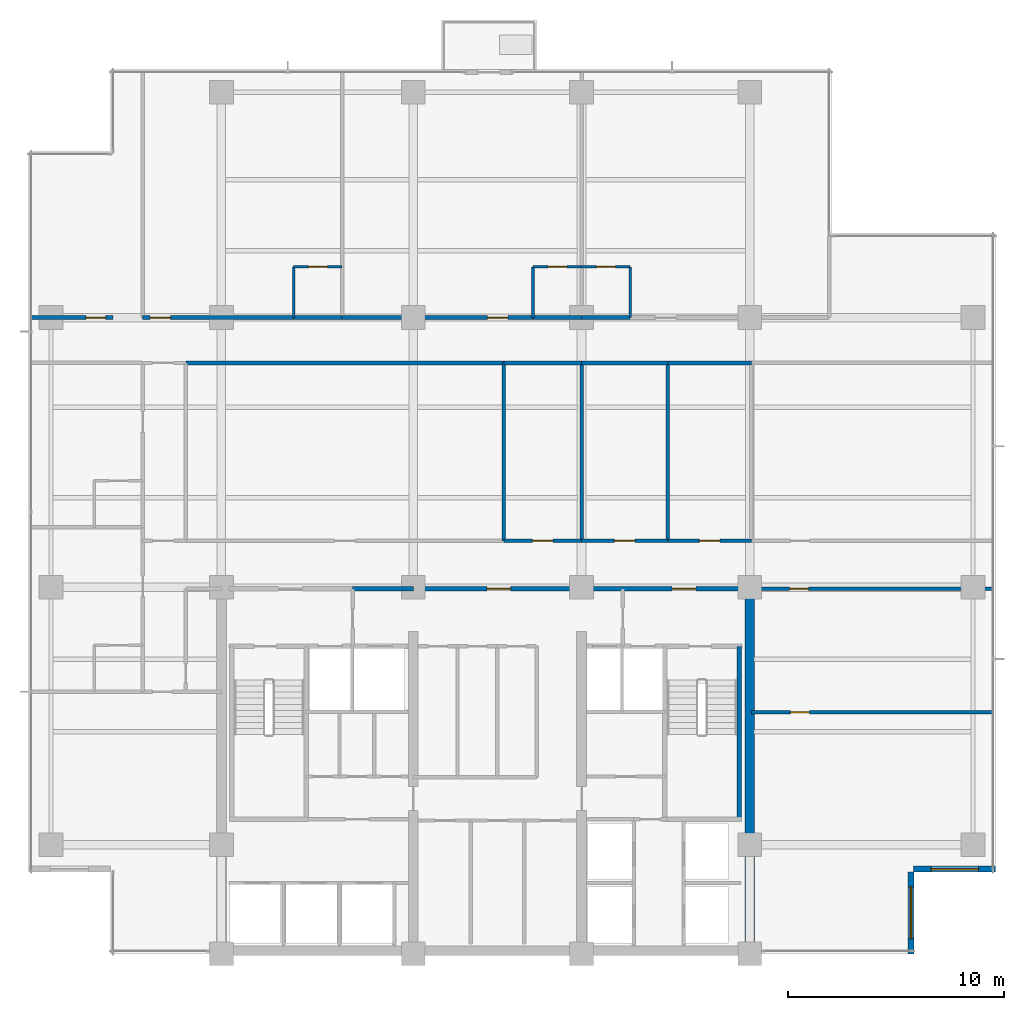
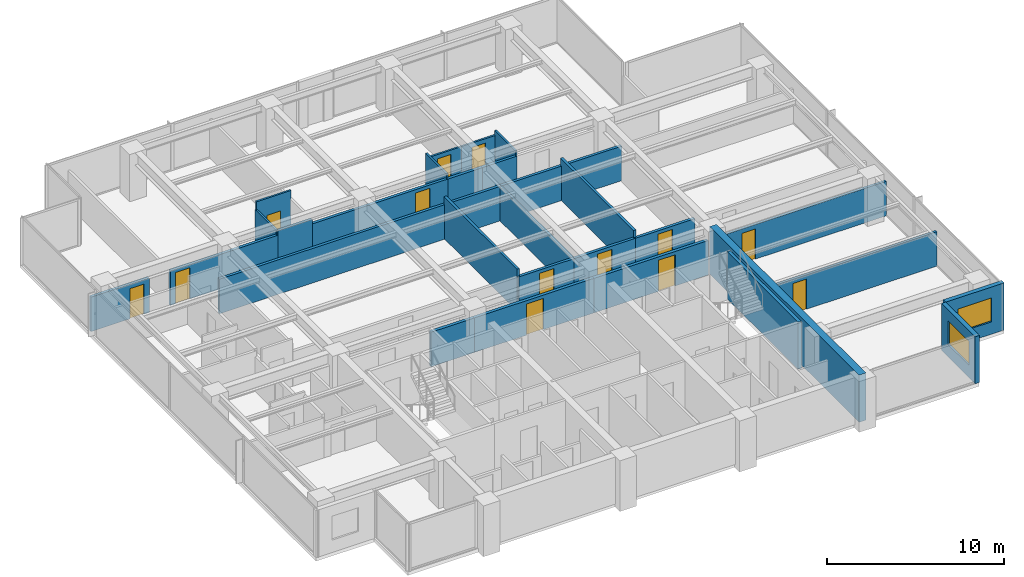
# One storey, part 9 of 15: 31 walls, 13 doors, 2 windows, 15 openings.
"""IFC4 building model written with IfcOpenShell, lengths in metres."""

from ifc_helpers import new_model, si_unit, direction, frame, frame_2d, origin, place, context, subcontext, project, spatial, rectangle, extrude, material, layer, layer_set, type_object, element, fill, save


model = new_model("IFC4")

# Units and contexts
model_context = context("Model", 3, precision=1e-05, world=origin(), true_north=direction((0.0, 1.0)))
body_context = subcontext(model_context, "Body", "Model", "MODEL_VIEW")
ifc_project = project(units=[si_unit("LENGTHUNIT", "METRE"), si_unit("AREAUNIT", "SQUARE_METRE"), si_unit("VOLUMEUNIT", "CUBIC_METRE"), si_unit("PLANEANGLEUNIT", "RADIAN"), si_unit("MASSUNIT", "GRAM", prefix="KILO")], contexts=[model_context])

# Site, building, storey
site_placement = place(None, origin())
site = spatial("IfcSite", under=ifc_project, at=site_placement, CompositionType="ELEMENT")
building_placement = place(site_placement, origin())
building = spatial("IfcBuilding", under=site, at=building_placement, Name="Qalmaran Belvedere Hotel", CompositionType="ELEMENT")
storey_placement = place(building_placement, frame((0.0, 0.0, 159.60009765625)))
storey = spatial("IfcBuildingStorey", under=building, at=storey_placement, Name="L40", CompositionType="ELEMENT", Elevation=159.60009765625)

# Wall
ifc_material_1 = material(Name="Concrete C50/60", Category="concrete")
ifc_layer_1 = layer(ifc_material_1, 0.449951171875, Name="Concrete C50/60")
ifc_layer_set_1 = layer_set([ifc_layer_1], Name="Concrete C50/60")
wall_type_1 = type_object("IfcWallType", Name="WL-CORE-450-C50", PredefinedType="SHEAR", material=ifc_layer_set_1)
wall_1_placement = place(storey_placement, frame((44.800048828125, 3.5, 0.0), z_axis=(0.0, 0.0, 1.0), x_axis=(0.0, 1.0, 0.0)))
element("IfcWall", 1, at=wall_1_placement, inside=storey, type_object=wall_type_1, Name="L40 East Core Shear Wall", PredefinedType="SHEAR", context=body_context, shape_type="SweptSolid", body=[
    extrude(rectangle(XDim=16.89990234375, YDim=0.449951171875, at=frame_2d((8.449951171875, 0.0))), origin(), (0.0, 0.0, 1.0), 3.25),
])

# Wall, opening, window
ifc_material_2 = material(Name="Anodised Bronze Cladding")
ifc_layer_2 = layer(ifc_material_2, 0.280029296875, Name="Anodised Bronze Cladding")
ifc_layer_set_2 = layer_set([ifc_layer_2], Name="Anodised Bronze Cladding")
wall_type_2 = type_object("IfcWallType", Name="WL-EXT-BRNZ-280", PredefinedType="SOLIDWALL", material=ifc_layer_set_2)
wall_2_placement = place(storey_placement, frame((52.280029296875, 3.5, 0.0), z_axis=(0.0, 0.0, 1.0), x_axis=(0.0, 1.0, 0.0)))
wall_2 = element("IfcWall", 2, at=wall_2_placement, inside=storey, type_object=wall_type_2, Name="L40 Corner Notch Wall 1", PredefinedType="SOLIDWALL", context=body_context, shape_type="SweptSolid", body=[
    extrude(rectangle(XDim=3.800048828125, YDim=0.280029296875, at=frame_2d((1.89990234375, 0.0))), origin(), (0.0, 0.0, 1.0), 3.25),
])
opening_1_placement = place(wall_2_placement, frame((0.699951171875, 0.0, 0.85009765625)))
opening_1 = element("IfcOpeningElement", 3, at=opening_1_placement, cuts=wall_2, Name="Opening W-N24", PredefinedType="OPENING", context=body_context, shape_type="SweptSolid", body=[
    extrude(rectangle(XDim=2.39990234375, YDim=1.64990234375, at=frame_2d((1.199951171875, 0.824951171875))), frame((0.0, 0.14990234375, 0.0), z_axis=(0.0, -1.0, 0.0), x_axis=(1.0, 0.0, 0.0)), (0.0, 0.0, 1.0), 0.300048828125),
])
ifc_material_3 = material(Name="Solar-Control Double Glazing", Category="glass")
window_type_1 = type_object("IfcWindowType", Name="WN-NTC-2400X1650", PartitioningType="SINGLE_PANEL", PredefinedType="WINDOW", material=ifc_material_3)
window_1_placement = place(opening_1_placement, origin())
window_1 = element("IfcWindow", 4, at=window_1_placement, inside=storey, type_object=window_type_1, Name="L40 Corner Notch Window 1", OverallHeight=1.64990234375, OverallWidth=2.39990234375, PartitioningType="SINGLE_PANEL", PredefinedType="WINDOW", context=body_context, shape_type="SweptSolid", body=[
    extrude(rectangle(XDim=2.39990234375, YDim=1.64990234375, at=frame_2d((1.199951171875, 0.824951171875))), frame((0.0, 0.030029296875, 0.0), z_axis=(0.0, -1.0, 0.0), x_axis=(1.0, 0.0, 0.0)), (0.0, 0.0, 1.0), 0.06005859375),
])
fill(opening_1, window_1)

wall_3_placement = place(storey_placement, frame((52.39990234375, 7.419921875, 0.0), z_axis=(0.0, 0.0, 1.0), x_axis=(1.0, 0.0, 0.0)))
wall_3 = element("IfcWall", 5, at=wall_3_placement, inside=storey, type_object=wall_type_2, Name="L40 Corner Notch Wall 2", PredefinedType="SOLIDWALL", context=body_context, shape_type="SweptSolid", body=[
    extrude(rectangle(XDim=3.800048828125, YDim=0.280029296875, at=frame_2d((1.89990234375, 0.0))), origin(), (0.0, 0.0, 1.0), 3.25),
])
opening_2_placement = place(wall_3_placement, frame((0.800048828125, 0.0, 0.85009765625)))
opening_2 = element("IfcOpeningElement", 6, at=opening_2_placement, cuts=wall_3, Name="Opening W-N22", PredefinedType="OPENING", context=body_context, shape_type="SweptSolid", body=[
    extrude(rectangle(XDim=2.199951171875, YDim=1.64990234375, at=frame_2d((1.10009765625, 0.824951171875))), frame((0.0, 0.14990234375, 0.0), z_axis=(0.0, -1.0, 0.0), x_axis=(1.0, 0.0, 0.0)), (0.0, 0.0, 1.0), 0.300048828125),
])
window_type_2 = type_object("IfcWindowType", Name="WN-NTC-2200X1650", PartitioningType="SINGLE_PANEL", PredefinedType="WINDOW", material=ifc_material_3)
window_2_placement = place(opening_2_placement, origin())
window_2 = element("IfcWindow", 7, at=window_2_placement, inside=storey, type_object=window_type_2, Name="L40 Corner Notch Window 2", OverallHeight=1.64990234375, OverallWidth=2.199951171875, PartitioningType="SINGLE_PANEL", PredefinedType="WINDOW", context=body_context, shape_type="SweptSolid", body=[
    extrude(rectangle(XDim=2.199951171875, YDim=1.64990234375, at=frame_2d((1.10009765625, 0.824951171875))), frame((0.0, 0.030029296875, 0.0), z_axis=(0.0, -1.0, 0.0), x_axis=(1.0, 0.0, 0.0)), (0.0, 0.0, 1.0), 0.06005859375),
])
fill(opening_2, window_2)

# Wall, opening, door
ifc_material_4 = material(Name="Moisture-Resistant Gypsum")
ifc_layer_3 = layer(ifc_material_4, 0.1201171875, Name="Moisture-Resistant Gypsum")
ifc_layer_set_3 = layer_set([ifc_layer_3], Name="Moisture-Resistant Gypsum")
wall_type_3 = type_object("IfcWallType", Name="WL-INT-120-BATH", PredefinedType="PARTITIONING", material=ifc_layer_set_3)
wall_4_placement = place(storey_placement, frame((23.647216796875, 35.35009765625, 0.0), z_axis=(0.0, 0.0, 1.0), x_axis=(1.0, 0.0, 0.0)))
wall_4 = element("IfcWall", 8, at=wall_4_placement, inside=storey, type_object=wall_type_3, Name="L40 Partition WL-L40-NBN00", PredefinedType="PARTITIONING", context=body_context, shape_type="SweptSolid", body=[
    extrude(rectangle(XDim=2.25, YDim=0.1201171875, at=frame_2d((1.125, 0.0))), origin(), (0.0, 0.0, 1.0), 3.25),
])
opening_3_placement = place(wall_4_placement, frame((1.56494140625, 0.0, 0.0), z_axis=(0.0, 0.0, 1.0), x_axis=(-1.0, 0.0, 0.0)))
opening_3 = element("IfcOpeningElement", 9, at=opening_3_placement, cuts=wall_4, Name="Opening D-BATH", PredefinedType="OPENING", context=body_context, shape_type="SweptSolid", body=[
    extrude(rectangle(XDim=0.8798828125, YDim=2.080078125, at=frame_2d((0.43994140625, 1.0400390625))), frame((0.0, 0.070068359375, 0.0), z_axis=(0.0, -1.0, 0.0), x_axis=(1.0, 0.0, 0.0)), (0.0, 0.0, 1.0), 0.14013671875),
])
ifc_material_5 = material(Name="Engineered Oak Veneer")
door_type_1 = type_object("IfcDoorType", Name="DR-INT-BATH-880X2080", OperationType="NOTDEFINED", PredefinedType="DOOR", material=ifc_material_5)
door_1_placement = place(opening_3_placement, origin())
door_1 = element("IfcDoor", 10, at=door_1_placement, inside=storey, type_object=door_type_1, Name="L40 Ensuite Bathroom Door N01", OperationType="SINGLE_SWING_RIGHT", OverallHeight=2.080078125, OverallWidth=0.8798828125, PredefinedType="DOOR", context=body_context, shape_type="SweptSolid", body=[
    extrude(rectangle(XDim=0.8798828125, YDim=2.080078125, at=frame_2d((0.43994140625, 1.0400390625))), frame((0.0, 0.02490234375, 0.0), z_axis=(0.0, -1.0, 0.0), x_axis=(1.0, 0.0, 0.0)), (0.0, 0.0, 1.0), 0.050048828125),
])
fill(opening_3, door_1)

# Wall
wall_5_placement = place(storey_placement, frame((23.647216796875, 33.0, 0.0), z_axis=(0.0, 0.0, 1.0), x_axis=(0.0, 1.0, 0.0)))
element("IfcWall", 11, at=wall_5_placement, inside=storey, type_object=wall_type_3, Name="L40 Partition WL-L40-NBS00", PredefinedType="PARTITIONING", context=body_context, shape_type="SweptSolid", body=[
    extrude(rectangle(XDim=2.35009765625, YDim=0.1201171875, at=frame_2d((1.175048828125, 0.0))), origin(), (0.0, 0.0, 1.0), 2.69189453125),
])

# Wall, opening, door
wall_6_placement = place(storey_placement, frame((34.75, 35.35009765625, 0.0), z_axis=(0.0, 0.0, 1.0), x_axis=(1.0, 0.0, 0.0)))
wall_6 = element("IfcWall", 12, at=wall_6_placement, inside=storey, type_object=wall_type_3, Name="L40 Partition WL-L40-NBN01", PredefinedType="PARTITIONING", context=body_context, shape_type="SweptSolid", body=[
    extrude(rectangle(XDim=2.25, YDim=0.1201171875, at=frame_2d((1.125, 0.0))), origin(), (0.0, 0.0, 1.0), 2.3798828125),
])
opening_4_placement = place(wall_6_placement, frame((1.56494140625, 0.0, 0.0), z_axis=(0.0, 0.0, 1.0), x_axis=(-1.0, 0.0, 0.0)))
opening_4 = element("IfcOpeningElement", 13, at=opening_4_placement, cuts=wall_6, Name="Opening D-BATH", PredefinedType="OPENING", context=body_context, shape_type="SweptSolid", body=[
    extrude(rectangle(XDim=0.8798828125, YDim=2.080078125, at=frame_2d((0.43994140625, 1.0400390625))), frame((0.0, 0.070068359375, 0.0), z_axis=(0.0, -1.0, 0.0), x_axis=(1.0, 0.0, 0.0)), (0.0, 0.0, 1.0), 0.14013671875),
])
door_2_placement = place(opening_4_placement, origin())
door_2 = element("IfcDoor", 14, at=door_2_placement, inside=storey, type_object=door_type_1, Name="L40 Ensuite Bathroom Door N02", OperationType="SINGLE_SWING_RIGHT", OverallHeight=2.080078125, OverallWidth=0.8798828125, PredefinedType="DOOR", context=body_context, shape_type="SweptSolid", body=[
    extrude(rectangle(XDim=0.8798828125, YDim=2.080078125, at=frame_2d((0.43994140625, 1.0400390625))), frame((0.0, 0.02490234375, 0.0), z_axis=(0.0, -1.0, 0.0), x_axis=(1.0, 0.0, 0.0)), (0.0, 0.0, 1.0), 0.050048828125),
])
fill(opening_4, door_2)

# Wall
wall_7_placement = place(storey_placement, frame((34.75, 33.0, 0.0), z_axis=(0.0, 0.0, 1.0), x_axis=(0.0, 1.0, 0.0)))
element("IfcWall", 15, at=wall_7_placement, inside=storey, type_object=wall_type_3, Name="L40 Partition WL-L40-NBS01", PredefinedType="PARTITIONING", context=body_context, shape_type="SweptSolid", body=[
    extrude(rectangle(XDim=2.35009765625, YDim=0.1201171875, at=frame_2d((1.175048828125, 0.0))), origin(), (0.0, 0.0, 1.0), 2.69189453125),
])

# Wall, opening, door
wall_8_placement = place(storey_placement, frame((37.0, 35.35009765625, 0.0), z_axis=(0.0, 0.0, 1.0), x_axis=(1.0, 0.0, 0.0)))
wall_8 = element("IfcWall", 16, at=wall_8_placement, inside=storey, type_object=wall_type_3, Name="L40 Partition WL-L40-NBN02", PredefinedType="PARTITIONING", context=body_context, shape_type="SweptSolid", body=[
    extrude(rectangle(XDim=2.25, YDim=0.1201171875, at=frame_2d((1.125, 0.0))), origin(), (0.0, 0.0, 1.0), 2.3798828125),
])
opening_5_placement = place(wall_8_placement, frame((1.56494140625, 0.0, 0.0), z_axis=(0.0, 0.0, 1.0), x_axis=(-1.0, 0.0, 0.0)))
opening_5 = element("IfcOpeningElement", 17, at=opening_5_placement, cuts=wall_8, Name="Opening D-BATH", PredefinedType="OPENING", context=body_context, shape_type="SweptSolid", body=[
    extrude(rectangle(XDim=0.8798828125, YDim=2.080078125, at=frame_2d((0.43994140625, 1.0400390625))), frame((0.0, 0.070068359375, 0.0), z_axis=(0.0, -1.0, 0.0), x_axis=(1.0, 0.0, 0.0)), (0.0, 0.0, 1.0), 0.14013671875),
])
door_3_placement = place(opening_5_placement, origin())
door_3 = element("IfcDoor", 18, at=door_3_placement, inside=storey, type_object=door_type_1, Name="L40 Ensuite Bathroom Door N03", OperationType="SINGLE_SWING_RIGHT", OverallHeight=2.080078125, OverallWidth=0.8798828125, PredefinedType="DOOR", context=body_context, shape_type="SweptSolid", body=[
    extrude(rectangle(XDim=0.8798828125, YDim=2.080078125, at=frame_2d((0.43994140625, 1.0400390625))), frame((0.0, 0.02490234375, 0.0), z_axis=(0.0, -1.0, 0.0), x_axis=(1.0, 0.0, 0.0)), (0.0, 0.0, 1.0), 0.050048828125),
])
fill(opening_5, door_3)

# Wall
wall_9_placement = place(storey_placement, frame((39.25, 33.0, 0.0), z_axis=(0.0, 0.0, 1.0), x_axis=(0.0, 1.0, 0.0)))
element("IfcWall", 19, at=wall_9_placement, inside=storey, type_object=wall_type_3, Name="L40 Partition WL-L40-NBS02", PredefinedType="PARTITIONING", context=body_context, shape_type="SweptSolid", body=[
    extrude(rectangle(XDim=2.35009765625, YDim=0.1201171875, at=frame_2d((1.175048828125, 0.0))), origin(), (0.0, 0.0, 1.0), 2.69189453125),
])

# Wall, opening, door
ifc_material_6 = material(Name="Gypsum Stud Partition")
ifc_layer_4 = layer(ifc_material_6, 0.14990234375, Name="Gypsum Stud Partition")
ifc_layer_set_4 = layer_set([ifc_layer_4], Name="Gypsum Stud Partition")
wall_type_4 = type_object("IfcWallType", Name="WL-INT-150-EI60", PredefinedType="PARTITIONING", material=ifc_layer_set_4)
wall_10_placement = place(storey_placement, frame((44.8798828125, 14.699951171875, 0.0), z_axis=(0.0, 0.0, 1.0), x_axis=(1.0, 0.0, 0.0)))
wall_10 = element("IfcWall", 20, at=wall_10_placement, inside=storey, type_object=wall_type_4, Name="L40 Partition WL-L40-ECEH0", PredefinedType="PARTITIONING", context=body_context, shape_type="SweptSolid", body=[
    extrude(rectangle(XDim=11.2001953125, YDim=0.14990234375, at=frame_2d((5.60009765625, 0.0))), origin(), (0.0, 0.0, 1.0), 2.3798828125),
])
opening_6_placement = place(wall_10_placement, frame((2.679931640625, 0.0, 0.0), z_axis=(0.0, 0.0, 1.0), x_axis=(-1.0, 0.0, 0.0)))
opening_6 = element("IfcOpeningElement", 21, at=opening_6_placement, cuts=wall_10, Name="Opening FD60B", PredefinedType="OPENING", context=body_context, shape_type="SweptSolid", body=[
    extrude(rectangle(XDim=0.8798828125, YDim=2.080078125, at=frame_2d((0.43994140625, 1.0400390625))), frame((0.0, 0.0849609375, 0.0), z_axis=(0.0, -1.0, 0.0), x_axis=(1.0, 0.0, 0.0)), (0.0, 0.0, 1.0), 0.169921875),
])
ifc_material_7 = material(Name="Steel S355JR", Category="steel")
door_type_2 = type_object("IfcDoorType", Name="DR-FD60B-880X2080", OperationType="NOTDEFINED", PredefinedType="DOOR", material=ifc_material_7)
door_4_placement = place(opening_6_placement, origin())
door_4 = element("IfcDoor", 22, at=door_4_placement, inside=storey, type_object=door_type_2, Name="L40 East Study Inner Door", OperationType="SINGLE_SWING_LEFT", OverallHeight=2.080078125, OverallWidth=0.8798828125, PredefinedType="DOOR", context=body_context, shape_type="SweptSolid", body=[
    extrude(rectangle(XDim=0.8798828125, YDim=2.080078125, at=frame_2d((0.43994140625, 1.0400390625))), frame((0.0, 0.02490234375, 0.0), z_axis=(0.0, -1.0, 0.0), x_axis=(1.0, 0.0, 0.0)), (0.0, 0.0, 1.0), 0.050048828125),
])
fill(opening_6, door_4)

ifc_layer_5 = layer(ifc_material_6, 0.159912109375, Name="Gypsum Stud Partition")
ifc_layer_set_5 = layer_set([ifc_layer_5], Name="Gypsum Stud Partition")
wall_type_5 = type_object("IfcWallType", Name="WL-INT-160-EI60", PredefinedType="PARTITIONING", material=ifc_layer_set_5)
wall_11_placement = place(storey_placement, frame((44.800048828125, 20.419921875, 0.0), z_axis=(0.0, 0.0, 1.0), x_axis=(1.0, 0.0, 0.0)))
wall_11 = element("IfcWall", 23, at=wall_11_placement, inside=storey, type_object=wall_type_5, Name="L40 Partition WL-L40-ECE1S", PredefinedType="PARTITIONING", context=body_context, shape_type="SweptSolid", body=[
    extrude(rectangle(XDim=11.280029296875, YDim=0.159912109375, at=frame_2d((5.64013671875, 0.0))), origin(), (0.0, 0.0, 1.0), 2.3798828125),
])
opening_7_placement = place(wall_11_placement, frame((2.72998046875, 0.0, 0.0), z_axis=(0.0, 0.0, 1.0), x_axis=(-1.0, 0.0, 0.0)))
opening_7 = element("IfcOpeningElement", 24, at=opening_7_placement, cuts=wall_11, Name="Opening FD60B", PredefinedType="OPENING", context=body_context, shape_type="SweptSolid", body=[
    extrude(rectangle(XDim=0.8798828125, YDim=2.080078125, at=frame_2d((0.43994140625, 1.0400390625))), frame((0.0, 0.08984375, 0.0), z_axis=(0.0, -1.0, 0.0), x_axis=(1.0, 0.0, 0.0)), (0.0, 0.0, 1.0), 0.179931640625),
])
door_5_placement = place(opening_7_placement, origin())
door_5 = element("IfcDoor", 25, at=door_5_placement, inside=storey, type_object=door_type_2, Name="L40 East Library Door", OperationType="SINGLE_SWING_RIGHT", OverallHeight=2.080078125, OverallWidth=0.8798828125, PredefinedType="DOOR", context=body_context, shape_type="SweptSolid", body=[
    extrude(rectangle(XDim=0.8798828125, YDim=2.080078125, at=frame_2d((0.43994140625, 1.0400390625))), frame((0.0, 0.02490234375, 0.0), z_axis=(0.0, -1.0, 0.0), x_axis=(1.0, 0.0, 0.0)), (0.0, 0.0, 1.0), 0.050048828125),
])
fill(opening_7, door_5)

# Walls
wall_12_placement = place(storey_placement, frame((33.39990234375, 22.64990234375, 0.0), z_axis=(0.0, 0.0, 1.0), x_axis=(0.0, 1.0, 0.0)))
element("IfcWall", 26, at=wall_12_placement, inside=storey, type_object=wall_type_5, Name="L40 Partition WL-L40-MIDVR1", PredefinedType="PARTITIONING", context=body_context, shape_type="SweptSolid", body=[
    extrude(rectangle(XDim=8.25, YDim=0.159912109375, at=frame_2d((4.125, 0.0))), origin(), (0.0, 0.0, 1.0), 2.880859375),
])
wall_13_placement = place(storey_placement, frame((37.0, 22.64990234375, 0.0), z_axis=(0.0, 0.0, 1.0), x_axis=(0.0, 1.0, 0.0)))
element("IfcWall", 27, at=wall_13_placement, inside=storey, type_object=wall_type_5, Name="L40 Partition WL-L40-MIDVR2", PredefinedType="PARTITIONING", context=body_context, shape_type="SweptSolid", body=[
    extrude(rectangle(XDim=8.25, YDim=0.159912109375, at=frame_2d((4.125, 0.0))), origin(), (0.0, 0.0, 1.0), 2.3798828125),
])
wall_14_placement = place(storey_placement, frame((41.0, 22.64990234375, 0.0), z_axis=(0.0, 0.0, 1.0), x_axis=(0.0, 1.0, 0.0)))
element("IfcWall", 28, at=wall_14_placement, inside=storey, type_object=wall_type_5, Name="L40 Partition WL-L40-MIDVR3", PredefinedType="PARTITIONING", context=body_context, shape_type="SweptSolid", body=[
    extrude(rectangle(XDim=8.25, YDim=0.159912109375, at=frame_2d((4.125, 0.0))), origin(), (0.0, 0.0, 1.0), 2.880859375),
])
ifc_layer_6 = layer(ifc_material_6, 0.179931640625, Name="Gypsum Stud Partition")
ifc_layer_set_6 = layer_set([ifc_layer_6], Name="Gypsum Stud Partition")
wall_type_6 = type_object("IfcWallType", Name="WL-INT-180-EI60", PredefinedType="PARTITIONING", material=ifc_layer_set_6)
wall_15_placement = place(storey_placement, frame((18.64990234375, 30.89990234375, 0.0), z_axis=(0.0, 0.0, 1.0), x_axis=(1.0, 0.0, 0.0)))
element("IfcWall", 29, at=wall_15_placement, inside=storey, type_object=wall_type_6, Name="L40 Partition WL-L40-MIDO1", PredefinedType="PARTITIONING", context=body_context, shape_type="SweptSolid", body=[
    extrude(rectangle(XDim=14.75, YDim=0.179931640625, at=frame_2d((7.375, 0.0))), origin(), (0.0, 0.0, 1.0), 2.3798828125),
])

# Wall, opening, door
wall_16_placement = place(storey_placement, frame((33.39990234375, 22.64990234375, 0.0), z_axis=(0.0, 0.0, 1.0), x_axis=(1.0, 0.0, 0.0)))
wall_16 = element("IfcWall", 30, at=wall_16_placement, inside=storey, type_object=wall_type_6, Name="L40 Partition WL-L40-MIDD2", PredefinedType="PARTITIONING", context=body_context, shape_type="SweptSolid", body=[
    extrude(rectangle(XDim=3.60009765625, YDim=0.179931640625, at=frame_2d((1.800048828125, 0.0))), origin(), (0.0, 0.0, 1.0), 2.3798828125),
])
opening_8_placement = place(wall_16_placement, frame((1.324951171875, 0.0, 0.0)))
opening_8 = element("IfcOpeningElement", 31, at=opening_8_placement, cuts=wall_16, Name="Opening FD60", PredefinedType="OPENING", context=body_context, shape_type="SweptSolid", body=[
    extrude(rectangle(XDim=0.949951171875, YDim=2.14990234375, at=frame_2d((0.47509765625, 1.074951171875))), frame((0.0, 0.10009765625, 0.0), z_axis=(0.0, -1.0, 0.0), x_axis=(1.0, 0.0, 0.0)), (0.0, 0.0, 1.0), 0.199951171875),
])
door_type_3 = type_object("IfcDoorType", Name="DR-FD60-950X2150", OperationType="NOTDEFINED", PredefinedType="DOOR", material=ifc_material_5)
door_6_placement = place(opening_8_placement, origin())
door_6 = element("IfcDoor", 32, at=door_6_placement, inside=storey, type_object=door_type_3, Name="L40 Butler Pantry Door", OperationType="SINGLE_SWING_LEFT", OverallHeight=2.14990234375, OverallWidth=0.949951171875, PredefinedType="DOOR", context=body_context, shape_type="SweptSolid", body=[
    extrude(rectangle(XDim=0.949951171875, YDim=2.14990234375, at=frame_2d((0.47509765625, 1.074951171875))), frame((0.0, 0.02490234375, 0.0), z_axis=(0.0, -1.0, 0.0), x_axis=(1.0, 0.0, 0.0)), (0.0, 0.0, 1.0), 0.050048828125),
])
fill(opening_8, door_6)

# Wall
wall_17_placement = place(storey_placement, frame((33.39990234375, 30.89990234375, 0.0), z_axis=(0.0, 0.0, 1.0), x_axis=(1.0, 0.0, 0.0)))
element("IfcWall", 33, at=wall_17_placement, inside=storey, type_object=wall_type_6, Name="L40 Partition WL-L40-MIDO2", PredefinedType="PARTITIONING", context=body_context, shape_type="SweptSolid", body=[
    extrude(rectangle(XDim=3.60009765625, YDim=0.179931640625, at=frame_2d((1.800048828125, 0.0))), origin(), (0.0, 0.0, 1.0), 2.3798828125),
])

# Wall, opening, door
wall_18_placement = place(storey_placement, frame((37.0, 22.64990234375, 0.0), z_axis=(0.0, 0.0, 1.0), x_axis=(1.0, 0.0, 0.0)))
wall_18 = element("IfcWall", 34, at=wall_18_placement, inside=storey, type_object=wall_type_6, Name="L40 Partition WL-L40-MIDD3", PredefinedType="PARTITIONING", context=body_context, shape_type="SweptSolid", body=[
    extrude(rectangle(XDim=4.0, YDim=0.179931640625, at=frame_2d((2.0, 0.0))), origin(), (0.0, 0.0, 1.0), 2.3798828125),
])
opening_9_placement = place(wall_18_placement, frame((1.52490234375, 0.0, 0.0)))
opening_9 = element("IfcOpeningElement", 35, at=opening_9_placement, cuts=wall_18, Name="Opening FD60", PredefinedType="OPENING", context=body_context, shape_type="SweptSolid", body=[
    extrude(rectangle(XDim=0.949951171875, YDim=2.14990234375, at=frame_2d((0.47509765625, 1.074951171875))), frame((0.0, 0.10009765625, 0.0), z_axis=(0.0, -1.0, 0.0), x_axis=(1.0, 0.0, 0.0)), (0.0, 0.0, 1.0), 0.199951171875),
])
door_7_placement = place(opening_9_placement, origin())
door_7 = element("IfcDoor", 36, at=door_7_placement, inside=storey, type_object=door_type_3, Name="L40 Coffee Pantry Door", OperationType="SINGLE_SWING_RIGHT", OverallHeight=2.14990234375, OverallWidth=0.949951171875, PredefinedType="DOOR", context=body_context, shape_type="SweptSolid", body=[
    extrude(rectangle(XDim=0.949951171875, YDim=2.14990234375, at=frame_2d((0.47509765625, 1.074951171875))), frame((0.0, 0.02490234375, 0.0), z_axis=(0.0, -1.0, 0.0), x_axis=(1.0, 0.0, 0.0)), (0.0, 0.0, 1.0), 0.050048828125),
])
fill(opening_9, door_7)

# Wall
wall_19_placement = place(storey_placement, frame((37.0, 30.89990234375, 0.0), z_axis=(0.0, 0.0, 1.0), x_axis=(1.0, 0.0, 0.0)))
element("IfcWall", 37, at=wall_19_placement, inside=storey, type_object=wall_type_6, Name="L40 Partition WL-L40-MIDO3", PredefinedType="PARTITIONING", context=body_context, shape_type="SweptSolid", body=[
    extrude(rectangle(XDim=4.0, YDim=0.179931640625, at=frame_2d((2.0, 0.0))), origin(), (0.0, 0.0, 1.0), 2.3798828125),
])

# Wall, opening, door
wall_20_placement = place(storey_placement, frame((41.0, 22.64990234375, 0.0), z_axis=(0.0, 0.0, 1.0), x_axis=(1.0, 0.0, 0.0)))
wall_20 = element("IfcWall", 38, at=wall_20_placement, inside=storey, type_object=wall_type_6, Name="L40 Partition WL-L40-MIDD4", PredefinedType="PARTITIONING", context=body_context, shape_type="SweptSolid", body=[
    extrude(rectangle(XDim=3.8798828125, YDim=0.179931640625, at=frame_2d((1.93994140625, 0.0))), origin(), (0.0, 0.0, 1.0), 2.3798828125),
])
opening_10_placement = place(wall_20_placement, frame((1.465087890625, 0.0, 0.0)))
opening_10 = element("IfcOpeningElement", 39, at=opening_10_placement, cuts=wall_20, Name="Opening FD60", PredefinedType="OPENING", context=body_context, shape_type="SweptSolid", body=[
    extrude(rectangle(XDim=0.949951171875, YDim=2.14990234375, at=frame_2d((0.47509765625, 1.074951171875))), frame((0.0, 0.10009765625, 0.0), z_axis=(0.0, -1.0, 0.0), x_axis=(1.0, 0.0, 0.0)), (0.0, 0.0, 1.0), 0.199951171875),
])
door_8_placement = place(opening_10_placement, origin())
door_8 = element("IfcDoor", 40, at=door_8_placement, inside=storey, type_object=door_type_3, Name="L40 Beverage Pantry Door", OperationType="SINGLE_SWING_LEFT", OverallHeight=2.14990234375, OverallWidth=0.949951171875, PredefinedType="DOOR", context=body_context, shape_type="SweptSolid", body=[
    extrude(rectangle(XDim=0.949951171875, YDim=2.14990234375, at=frame_2d((0.47509765625, 1.074951171875))), frame((0.0, 0.02490234375, 0.0), z_axis=(0.0, -1.0, 0.0), x_axis=(1.0, 0.0, 0.0)), (0.0, 0.0, 1.0), 0.050048828125),
])
fill(opening_10, door_8)

# Walls
wall_21_placement = place(storey_placement, frame((41.0, 30.89990234375, 0.0), z_axis=(0.0, 0.0, 1.0), x_axis=(1.0, 0.0, 0.0)))
element("IfcWall", 41, at=wall_21_placement, inside=storey, type_object=wall_type_6, Name="L40 Partition WL-L40-MIDO4", PredefinedType="PARTITIONING", context=body_context, shape_type="SweptSolid", body=[
    extrude(rectangle(XDim=3.8798828125, YDim=0.179931640625, at=frame_2d((1.93994140625, 0.0))), origin(), (0.0, 0.0, 1.0), 2.3798828125),
])
wall_22_placement = place(storey_placement, frame((23.647216796875, 33.0, 0.0), z_axis=(0.0, 0.0, 1.0), x_axis=(1.0, 0.0, 0.0)))
element("IfcWall", 42, at=wall_22_placement, inside=storey, type_object=wall_type_6, Name="L40 Partition WL-L40-NBC00", PredefinedType="PARTITIONING", context=body_context, shape_type="SweptSolid", body=[
    extrude(rectangle(XDim=2.25, YDim=0.179931640625, at=frame_2d((1.125, 0.0))), origin(), (0.0, 0.0, 1.0), 2.69189453125),
])

# Wall, opening, door
wall_23_placement = place(storey_placement, frame((16.64990234375, 33.0, 0.0), z_axis=(0.0, 0.0, 1.0), x_axis=(1.0, 0.0, 0.0)))
wall_23 = element("IfcWall", 43, at=wall_23_placement, inside=storey, type_object=wall_type_6, Name="L40 Partition WL-L40-NEC00", PredefinedType="PARTITIONING", context=body_context, shape_type="SweptSolid", body=[
    extrude(rectangle(XDim=6.997314453125, YDim=0.179931640625, at=frame_2d((3.49853515625, 0.0))), origin(), (0.0, 0.0, 1.0), 2.3798828125),
])
opening_11_placement = place(wall_23_placement, frame((0.33935546875, 0.0, 0.0)))
opening_11 = element("IfcOpeningElement", 44, at=opening_11_placement, cuts=wall_23, Name="Opening FD60", PredefinedType="OPENING", context=body_context, shape_type="SweptSolid", body=[
    extrude(rectangle(XDim=0.949951171875, YDim=2.14990234375, at=frame_2d((0.47509765625, 1.074951171875))), frame((0.0, 0.10009765625, 0.0), z_axis=(0.0, -1.0, 0.0), x_axis=(1.0, 0.0, 0.0)), (0.0, 0.0, 1.0), 0.199951171875),
])
door_9_placement = place(opening_11_placement, origin())
door_9 = element("IfcDoor", 45, at=door_9_placement, inside=storey, type_object=door_type_3, Name="L40 Guest Entrance Door N01", OperationType="SINGLE_SWING_LEFT", OverallHeight=2.14990234375, OverallWidth=0.949951171875, PredefinedType="DOOR", context=body_context, shape_type="SweptSolid", body=[
    extrude(rectangle(XDim=0.949951171875, YDim=2.14990234375, at=frame_2d((0.47509765625, 1.074951171875))), frame((0.0, 0.02490234375, 0.0), z_axis=(0.0, -1.0, 0.0), x_axis=(1.0, 0.0, 0.0)), (0.0, 0.0, 1.0), 0.050048828125),
])
fill(opening_11, door_9)

# Wall
wall_24_placement = place(storey_placement, frame((34.75, 33.0, 0.0), z_axis=(0.0, 0.0, 1.0), x_axis=(1.0, 0.0, 0.0)))
element("IfcWall", 46, at=wall_24_placement, inside=storey, type_object=wall_type_6, Name="L40 Partition WL-L40-NBC01", PredefinedType="PARTITIONING", context=body_context, shape_type="SweptSolid", body=[
    extrude(rectangle(XDim=2.25, YDim=0.179931640625, at=frame_2d((1.125, 0.0))), origin(), (0.0, 0.0, 1.0), 2.3798828125),
])

# Wall, opening, door
wall_25_placement = place(storey_placement, frame((25.897216796875, 33.0, 0.0), z_axis=(0.0, 0.0, 1.0), x_axis=(1.0, 0.0, 0.0)))
wall_25 = element("IfcWall", 47, at=wall_25_placement, inside=storey, type_object=wall_type_6, Name="L40 Partition WL-L40-NEC01", PredefinedType="PARTITIONING", context=body_context, shape_type="SweptSolid", body=[
    extrude(rectangle(XDim=8.852783203125, YDim=0.179931640625, at=frame_2d((4.42626953125, 0.0))), origin(), (0.0, 0.0, 1.0), 2.3798828125),
])
opening_12_placement = place(wall_25_placement, frame((6.735107421875, 0.0, 0.0)))
opening_12 = element("IfcOpeningElement", 48, at=opening_12_placement, cuts=wall_25, Name="Opening FD60", PredefinedType="OPENING", context=body_context, shape_type="SweptSolid", body=[
    extrude(rectangle(XDim=0.949951171875, YDim=2.14990234375, at=frame_2d((0.47509765625, 1.074951171875))), frame((0.0, 0.10009765625, 0.0), z_axis=(0.0, -1.0, 0.0), x_axis=(1.0, 0.0, 0.0)), (0.0, 0.0, 1.0), 0.199951171875),
])
door_10_placement = place(opening_12_placement, origin())
door_10 = element("IfcDoor", 49, at=door_10_placement, inside=storey, type_object=door_type_3, Name="L40 Guest Entrance Door N02", OperationType="SINGLE_SWING_LEFT", OverallHeight=2.14990234375, OverallWidth=0.949951171875, PredefinedType="DOOR", context=body_context, shape_type="SweptSolid", body=[
    extrude(rectangle(XDim=0.949951171875, YDim=2.14990234375, at=frame_2d((0.47509765625, 1.074951171875))), frame((0.0, 0.02490234375, 0.0), z_axis=(0.0, -1.0, 0.0), x_axis=(1.0, 0.0, 0.0)), (0.0, 0.0, 1.0), 0.050048828125),
])
fill(opening_12, door_10)

# Wall
wall_26_placement = place(storey_placement, frame((37.0, 33.0, 0.0), z_axis=(0.0, 0.0, 1.0), x_axis=(1.0, 0.0, 0.0)))
element("IfcWall", 50, at=wall_26_placement, inside=storey, type_object=wall_type_6, Name="L40 Partition WL-L40-NBC02", PredefinedType="PARTITIONING", context=body_context, shape_type="SweptSolid", body=[
    extrude(rectangle(XDim=2.25, YDim=0.179931640625, at=frame_2d((1.125, 0.0))), origin(), (0.0, 0.0, 1.0), 2.3798828125),
])

# Wall, opening, door
wall_27_placement = place(storey_placement, frame((11.469970703125, 33.0, 0.0), z_axis=(0.0, 0.0, 1.0), x_axis=(1.0, 0.0, 0.0)))
wall_27 = element("IfcWall", 51, at=wall_27_placement, inside=storey, type_object=wall_type_6, Name="L40 Partition WL-L40-NWSD", PredefinedType="PARTITIONING", context=body_context, shape_type="SweptSolid", body=[
    extrude(rectangle(XDim=3.800048828125, YDim=0.179931640625, at=frame_2d((1.89990234375, 0.0))), origin(), (0.0, 0.0, 1.0), 2.3798828125),
])
opening_13_placement = place(wall_27_placement, frame((2.543701171875, 0.0, 0.0)))
opening_13 = element("IfcOpeningElement", 52, at=opening_13_placement, cuts=wall_27, Name="Opening FD60S1", PredefinedType="OPENING", context=body_context, shape_type="SweptSolid", body=[
    extrude(rectangle(XDim=0.919921875, YDim=2.080078125, at=frame_2d((0.4599609375, 1.0400390625))), frame((0.0, 0.10009765625, 0.0), z_axis=(0.0, -1.0, 0.0), x_axis=(1.0, 0.0, 0.0)), (0.0, 0.0, 1.0), 0.199951171875),
])
door_type_4 = type_object("IfcDoorType", Name="DR-FD60S-920X2080", OperationType="NOTDEFINED", PredefinedType="DOOR", material=ifc_material_5)
door_11_placement = place(opening_13_placement, origin())
door_11 = element("IfcDoor", 53, at=door_11_placement, inside=storey, type_object=door_type_4, Name="L40 NW Belvedere Study Door", OperationType="SINGLE_SWING_RIGHT", OverallHeight=2.080078125, OverallWidth=0.919921875, PredefinedType="DOOR", context=body_context, shape_type="SweptSolid", body=[
    extrude(rectangle(XDim=0.919921875, YDim=2.080078125, at=frame_2d((0.4599609375, 1.0400390625))), frame((0.0, 0.02490234375, 0.0), z_axis=(0.0, -1.0, 0.0), x_axis=(1.0, 0.0, 0.0)), (0.0, 0.0, 1.0), 0.050048828125),
])
fill(opening_13, door_11)

# Wall
ifc_material_8 = material(Name="Concrete C30/37 Blockwork", Category="masonry")
ifc_layer_7 = layer(ifc_material_8, 0.199951171875, Name="Concrete C30/37 Blockwork")
ifc_layer_set_7 = layer_set([ifc_layer_7], Name="Concrete C30/37 Blockwork")
wall_type_7 = type_object("IfcWallType", Name="WL-INT-200-EI120", PredefinedType="PARTITIONING", material=ifc_layer_set_7)
wall_28_placement = place(storey_placement, frame((26.3798828125, 20.419921875, 0.0), z_axis=(0.0, 0.0, 1.0), x_axis=(1.0, 0.0, 0.0)))
element("IfcWall", 54, at=wall_28_placement, inside=storey, type_object=wall_type_7, Name="L40 Partition WL-CN1B-L40", PredefinedType="PARTITIONING", context=body_context, shape_type="SweptSolid", body=[
    extrude(rectangle(XDim=2.820068359375, YDim=0.199951171875, at=frame_2d((1.41015625, 0.0))), origin(), (0.0, 0.0, 1.0), 2.3798828125),
])

# Wall, opening, door
wall_29_placement = place(storey_placement, frame((29.199951171875, 20.419921875, 0.0), z_axis=(0.0, 0.0, 1.0), x_axis=(1.0, 0.0, 0.0)))
wall_29 = element("IfcWall", 55, at=wall_29_placement, inside=storey, type_object=wall_type_7, Name="L40 Partition WL-CN2-L40", PredefinedType="PARTITIONING", context=body_context, shape_type="SweptSolid", body=[
    extrude(rectangle(XDim=7.800048828125, YDim=0.199951171875, at=frame_2d((3.89990234375, 0.0))), origin(), (0.0, 0.0, 1.0), 2.3798828125),
])
opening_14_placement = place(wall_29_placement, frame((3.4091796875, 0.0, 0.0)))
opening_14 = element("IfcOpeningElement", 56, at=opening_14_placement, cuts=wall_29, Name="Opening FD90", PredefinedType="OPENING", context=body_context, shape_type="SweptSolid", body=[
    extrude(rectangle(XDim=1.10009765625, YDim=2.14990234375, at=frame_2d((0.550048828125, 1.074951171875))), frame((0.0, 0.10986328125, 0.0), z_axis=(0.0, -1.0, 0.0), x_axis=(1.0, 0.0, 0.0)), (0.0, 0.0, 1.0), 0.219970703125),
])
door_type_5 = type_object("IfcDoorType", Name="DR-FD90-1100X2150", OperationType="NOTDEFINED", PredefinedType="DOOR", material=ifc_material_7)
door_12_placement = place(opening_14_placement, origin())
door_12 = element("IfcDoor", 57, at=door_12_placement, inside=storey, type_object=door_type_5, Name="L40 Central Lift Lobby Door", OperationType="SINGLE_SWING_LEFT", OverallHeight=2.14990234375, OverallWidth=1.10009765625, PredefinedType="DOOR", context=body_context, shape_type="SweptSolid", body=[
    extrude(rectangle(XDim=1.10009765625, YDim=2.14990234375, at=frame_2d((0.550048828125, 1.074951171875))), frame((0.0, 0.02490234375, 0.0), z_axis=(0.0, -1.0, 0.0), x_axis=(1.0, 0.0, 0.0)), (0.0, 0.0, 1.0), 0.050048828125),
])
fill(opening_14, door_12)

wall_30_placement = place(storey_placement, frame((37.0, 20.419921875, 0.0), z_axis=(0.0, 0.0, 1.0), x_axis=(1.0, 0.0, 0.0)))
wall_30 = element("IfcWall", 58, at=wall_30_placement, inside=storey, type_object=wall_type_7, Name="L40 Partition WL-CN3-L40", PredefinedType="PARTITIONING", context=body_context, shape_type="SweptSolid", body=[
    extrude(rectangle(XDim=7.449951171875, YDim=0.199951171875, at=frame_2d((3.72509765625, 0.0))), origin(), (0.0, 0.0, 1.0), 2.3798828125),
])
opening_15_placement = place(wall_30_placement, frame((4.199951171875, 0.0, 0.0)))
opening_15 = element("IfcOpeningElement", 59, at=opening_15_placement, cuts=wall_30, Name="Opening FD90", PredefinedType="OPENING", context=body_context, shape_type="SweptSolid", body=[
    extrude(rectangle(XDim=1.10009765625, YDim=2.14990234375, at=frame_2d((0.550048828125, 1.074951171875))), frame((0.0, 0.10986328125, 0.0), z_axis=(0.0, -1.0, 0.0), x_axis=(1.0, 0.0, 0.0)), (0.0, 0.0, 1.0), 0.219970703125),
])
door_13_placement = place(opening_15_placement, origin())
door_13 = element("IfcDoor", 60, at=door_13_placement, inside=storey, type_object=door_type_5, Name="L40 FF2 Lobby Corridor Door", OperationType="SINGLE_SWING_RIGHT", OverallHeight=2.14990234375, OverallWidth=1.10009765625, PredefinedType="DOOR", context=body_context, shape_type="SweptSolid", body=[
    extrude(rectangle(XDim=1.10009765625, YDim=2.14990234375, at=frame_2d((0.550048828125, 1.074951171875))), frame((0.0, 0.02490234375, 0.0), z_axis=(0.0, -1.0, 0.0), x_axis=(1.0, 0.0, 0.0)), (0.0, 0.0, 1.0), 0.050048828125),
])
fill(opening_15, door_13)

# Wall
ifc_layer_8 = layer(ifc_material_1, 0.2099609375, Name="Concrete C50/60")
ifc_layer_set_8 = layer_set([ifc_layer_8], Name="Concrete C50/60")
wall_type_8 = type_object("IfcWallType", Name="WL-STAIR-210-C50", PredefinedType="SHEAR", material=ifc_layer_set_8)
wall_31_placement = place(storey_placement, frame((44.304931640625, 9.7451171875, 0.0), z_axis=(0.0, 0.0, 1.0), x_axis=(0.0, 1.0, 0.0)))
element("IfcWall", 61, at=wall_31_placement, inside=storey, type_object=wall_type_8, Name="L40 Stair ST-2 East Bearing Wall", PredefinedType="SHEAR", context=body_context, shape_type="SweptSolid", body=[
    extrude(rectangle(XDim=8.009765625, YDim=0.2099609375, at=frame_2d((4.0048828125, 0.0))), origin(), (0.0, 0.0, 1.0), 3.25),
])

save(model, "model.ifc")
